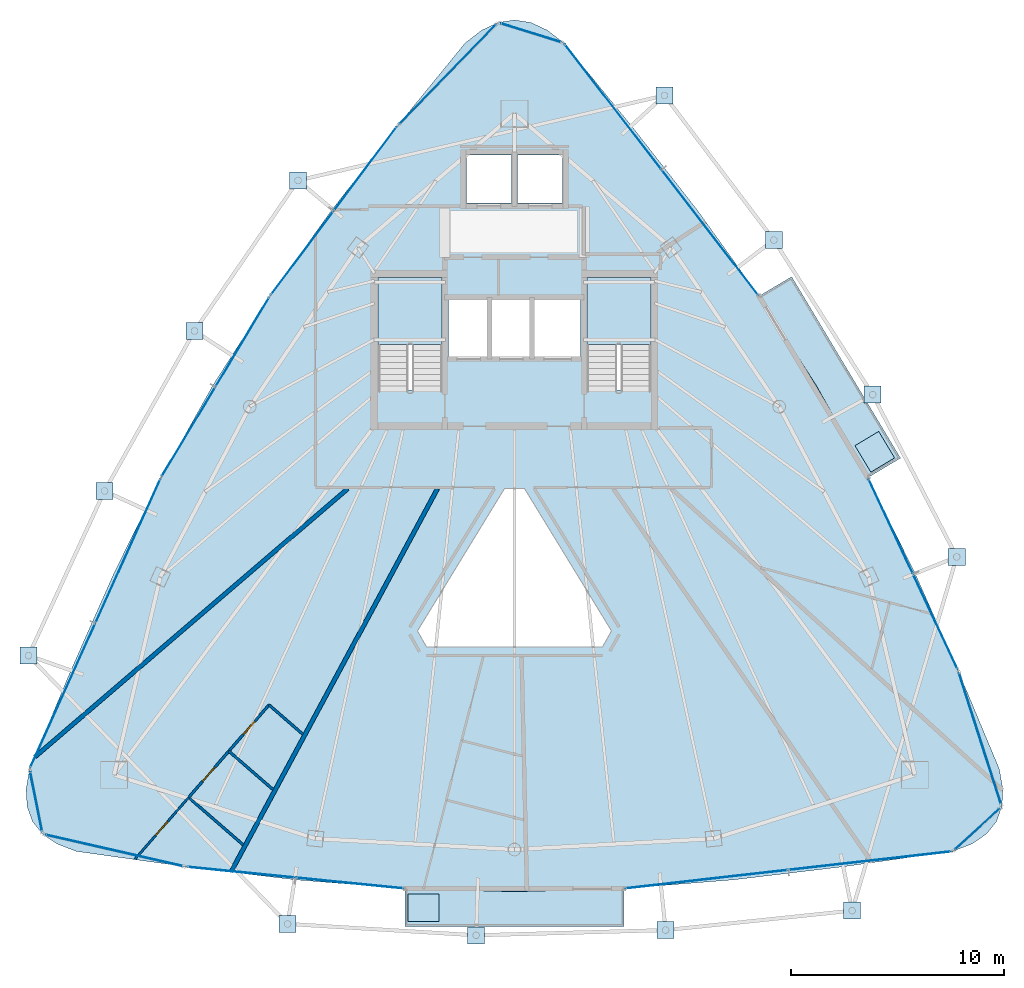
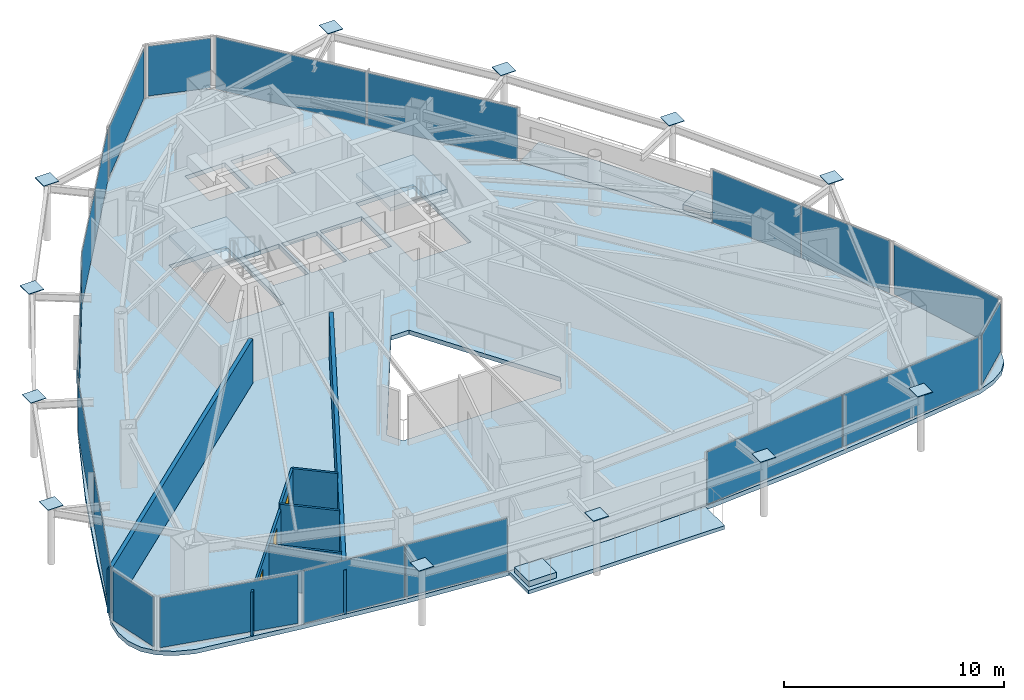
# One storey, part 25 of 30: 32 plates, 8 walls, 7 slabs, 3 doors, 3 openings, 15 elements without a shape of their own.
"""IFC4 building model written with IfcOpenShell, lengths in metres."""

from ifc_helpers import new_model, si_unit, direction, frame, frame_2d, origin, origin_2d, place, context, subcontext, project, spatial, polyline, rectangle, outline, extrude, material, layer, layer_set, type_object, element, fill, aggregate, save


model = new_model("IFC4")

# Units and contexts
model_context = context("Model", 3, precision=1e-05, world=origin(), true_north=direction((0.0, 1.0)))
body_context = subcontext(model_context, "Body", "Model", "MODEL_VIEW")
ifc_project = project(units=[si_unit("LENGTHUNIT", "METRE"), si_unit("AREAUNIT", "SQUARE_METRE"), si_unit("VOLUMEUNIT", "CUBIC_METRE"), si_unit("PLANEANGLEUNIT", "RADIAN"), si_unit("MASSUNIT", "GRAM", prefix="KILO")], contexts=[model_context])

# Site, building, storey
site_placement = place(None, origin())
site = spatial("IfcSite", under=ifc_project, at=site_placement, CompositionType="ELEMENT")
building_placement = place(site_placement, origin())
building = spatial("IfcBuilding", under=site, at=building_placement, Name="Orvanel Arch Residences", CompositionType="ELEMENT")
storey_placement = place(building_placement, frame((0.0, 0.0, 232.699951171875)))
storey = spatial("IfcBuildingStorey", under=building, at=storey_placement, Name="L66", CompositionType="ELEMENT", Elevation=232.699951171875)

# Plates
ifc_material_1 = material(Name="Structural steel AS/NZS 3678 Grade 350", Category="steel")
ifc_layer_1 = layer(ifc_material_1, 0.031982421875)
ifc_layer_set_1 = layer_set([ifc_layer_1], Name="Structural steel AS/NZS 3678 Grade 350")
plate_type_1 = type_object("IfcPlateType", Name="PL-CAP-32", PredefinedType="SHEET", material=ifc_layer_set_1)
for number, where, z_axis, x_axis, name in (
    (1, (22.8359375, 38.262939453125, 3.2841796875), (0.0, 0.0, 1.0), (1.0, 0.0, 0.0), "L66 hollow member end cap plate"),
    (2, (17.972900390625, 31.193115234375, 3.2841796875), (0.0, 0.0, 1.0), (1.0, 0.0, 0.0), "L66 hollow member end cap plate"),
    (3, (13.751953125, 23.681884765625, 3.2841796875), (0.0, 0.0, 1.0), (1.0, 0.0, 0.0), "L66 hollow member end cap plate"),
    (4, (10.179931640625, 15.950927734375, 3.2841796875), (0.0, 0.0, 1.0), (1.0, 0.0, 0.0), "L66 hollow member end cap plate"),
    (5, (22.346923828125, 3.35009765625, 3.2841796875), (0.0, 0.0, 1.0), (1.0, 0.0, 0.0), "L66 hollow member end cap plate"),
    (6, (31.198974609375, 2.81689453125, 3.2841796875), (0.0, 0.0, 1.0), (1.0, 0.0, 0.0), "L66 hollow member end cap plate"),
    (7, (40.096923828125, 3.06005859375, 3.2841796875), (0.0, 0.0, 1.0), (1.0, 0.0, 0.0), "L66 hollow member end cap plate"),
    (8, (48.85498046875, 3.97412109375, 3.2841796875), (0.0, 0.0, 1.0), (1.0, 0.0, 0.0), "L66 hollow member end cap plate"),
    (9, (53.76806640625, 20.583984375, 3.2841796875), (0.0, 0.0, 1.0), (1.0, 0.0, 0.0), "L66 hollow member end cap plate"),
    (10, (49.821044921875, 28.202880859375, 3.2841796875), (0.0, 0.0, 1.0), (1.0, 0.0, 0.0), "L66 hollow member end cap plate"),
    (11, (45.180908203125, 35.462890625, 3.2841796875), (0.0, 0.0, 1.0), (1.0, 0.0, 0.0), "L66 hollow member end cap plate"),
    (12, (40.0419921875, 42.25390625, 3.2841796875), (0.0, 0.0, 1.0), (1.0, 0.0, 0.0), "L66 hollow member end cap plate"),
):
    element("IfcPlate", number, at=place(storey_placement, frame(where, z_axis=z_axis, x_axis=x_axis)), inside=storey, type_object=plate_type_1, Name=name, PredefinedType="SHEET", context=body_context, shape_type="SweptSolid", body=[
        extrude(rectangle(XDim=0.800048828125, YDim=0.800048828125, at=origin_2d()), origin(), (0.0, 0.0, 1.0), 0.031982421875),
    ])

# Curtain wall, plates
ifc_material_2 = material(Name="Bronze-anodised aluminium AA6063-T6", Category="aluminium")
ifc_layer_2 = layer(ifc_material_2, 0.175048828125)
ifc_layer_set_2 = layer_set([ifc_layer_2], Name="Bronze-anodised aluminium AA6063-T6")
curtain_wall_type_1 = type_object("IfcCurtainWallType", Name="CW4-HI-SYS", PredefinedType="NOTDEFINED", material=ifc_layer_set_2)
curtain_wall_1_placement = place(storey_placement, origin())
curtain_wall_1 = element("IfcCurtainWall", 13, at=curtain_wall_1_placement, inside=storey, type_object=curtain_wall_type_1, Name="L66 CW4-HI-SYS Unitised Curtain Wall", PredefinedType="NOTDEFINED")
ifc_material_3 = material(Name="Double-glazed solar-control low-E safety glass", Category="glass")
ifc_layer_3 = layer(ifc_material_3, 0.028076171875)
ifc_layer_set_3 = layer_set([ifc_layer_3], Name="Double-glazed solar-control low-E safety glass")
plate_type_2 = type_object("IfcPlateType", Name="PNL-GLZ-28", PredefinedType="CURTAIN_PANEL", material=ifc_layer_set_3)
plate_1_placement = place(storey_placement, frame((25.989990234375, 38.805908203125, 0.06005859375), z_axis=(0.0, 0.0, 1.0), x_axis=(-0.599485313473, -0.800385756327, 0.0)))
plate_1 = element("IfcPlate", 14, at=plate_1_placement, type_object=plate_type_2, Name="CW-S4 panel 1.1", PredefinedType="CURTAIN_PANEL", context=body_context, shape_type="SweptSolid", body=[
    extrude(rectangle(XDim=4.877685546875, YDim=0.028076171875, at=origin_2d()), origin(), (0.0, 0.0, 1.0), 2.89990234375),
])
plate_2_placement = place(storey_placement, frame((23.027099609375, 34.85009765625, 0.06005859375), z_axis=(0.0, 0.0, 1.0), x_axis=(-0.599485313473, -0.800385756327, 0.0)))
plate_2 = element("IfcPlate", 15, at=plate_2_placement, type_object=plate_type_2, Name="CW-S4 panel 2.1", PredefinedType="CURTAIN_PANEL", context=body_context, shape_type="SweptSolid", body=[
    extrude(rectangle(XDim=4.877685546875, YDim=0.028076171875, at=origin_2d()), origin(), (0.0, 0.0, 1.0), 2.89990234375),
])
aggregate(curtain_wall_1, [plate_1, plate_2])

curtain_wall_2_placement = place(storey_placement, origin())
curtain_wall_2 = element("IfcCurtainWall", 16, at=curtain_wall_2_placement, inside=storey, type_object=curtain_wall_type_1, Name="L66 CW4-HI-SYS Unitised Curtain Wall", PredefinedType="NOTDEFINED")
plate_3_placement = place(storey_placement, frame((20.22265625, 30.677001953125, 0.06005859375), z_axis=(0.0, 0.0, 1.0), x_axis=(-0.514436325748, -0.857528580719, 0.0)))
plate_3 = element("IfcPlate", 17, at=plate_3_placement, type_object=plate_type_2, Name="CW-S4 panel 1.1", PredefinedType="CURTAIN_PANEL", context=body_context, shape_type="SweptSolid", body=[
    extrude(rectangle(XDim=4.8515625, YDim=0.028076171875, at=origin_2d()), origin(), (0.0, 0.0, 1.0), 2.89990234375),
])
plate_4_placement = place(storey_placement, frame((17.693359375, 26.4609375, 0.06005859375), z_axis=(0.0, 0.0, 1.0), x_axis=(-0.514436325748, -0.857528580719, 0.0)))
plate_4 = element("IfcPlate", 18, at=plate_4_placement, type_object=plate_type_2, Name="CW-S4 panel 2.1", PredefinedType="CURTAIN_PANEL", context=body_context, shape_type="SweptSolid", body=[
    extrude(rectangle(XDim=4.8515625, YDim=0.028076171875, at=origin_2d()), origin(), (0.0, 0.0, 1.0), 2.89990234375),
])
aggregate(curtain_wall_2, [plate_3, plate_4])

curtain_wall_3_placement = place(storey_placement, origin())
curtain_wall_3 = element("IfcCurtainWall", 19, at=curtain_wall_3_placement, inside=storey, type_object=curtain_wall_type_1, Name="L66 CW4-HI-SYS Unitised Curtain Wall", PredefinedType="NOTDEFINED")
plate_5_placement = place(storey_placement, frame((14.848876953125, 20.864013671875, 0.06005859375), z_axis=(0.0, 0.0, 1.0), x_axis=(-0.411128435335, -0.911577429328, 0.0)))
plate_5 = element("IfcPlate", 20, at=plate_5_placement, type_object=plate_type_2, Name="CW-S4 panel 1.1", PredefinedType="CURTAIN_PANEL", context=body_context, shape_type="SweptSolid", body=[
    extrude(rectangle(XDim=7.38671875, YDim=0.028076171875, at=origin_2d()), origin(), (0.0, 0.0, 1.0), 2.89990234375),
])
plate_6_placement = place(storey_placement, frame((11.78515625, 14.071044921875, 0.06005859375), z_axis=(0.0, 0.0, 1.0), x_axis=(-0.411128435335, -0.911577429328, 0.0)))
plate_6 = element("IfcPlate", 21, at=plate_6_placement, type_object=plate_type_2, Name="CW-S4 panel 2.1", PredefinedType="CURTAIN_PANEL", context=body_context, shape_type="SweptSolid", body=[
    extrude(rectangle(XDim=7.38671875, YDim=0.028076171875, at=origin_2d()), origin(), (0.0, 0.0, 1.0), 2.89990234375),
])
aggregate(curtain_wall_3, [plate_5, plate_6])

curtain_wall_4_placement = place(storey_placement, origin())
curtain_wall_4 = element("IfcCurtainWall", 22, at=curtain_wall_4_placement, inside=storey, type_object=curtain_wall_type_1, Name="L66 CW4-HI-SYS Unitised Curtain Wall", PredefinedType="NOTDEFINED")
plate_7_placement = place(storey_placement, frame((20.16552734375, 5.7763671875, 0.06005859375), z_axis=(0.0, 0.0, 1.0), x_axis=(0.995084182204, -0.099032673027, 0.0)))
plate_7 = element("IfcPlate", 23, at=plate_7_placement, type_object=plate_type_2, Name="CW-S4 panel 1.1", PredefinedType="CURTAIN_PANEL", context=body_context, shape_type="SweptSolid", body=[
    extrude(rectangle(XDim=5.05224609375, YDim=0.028076171875, at=origin_2d()), origin(), (0.0, 0.0, 1.0), 2.89990234375),
])
plate_8_placement = place(storey_placement, frame((25.257568359375, 5.26953125, 0.06005859375), z_axis=(0.0, 0.0, 1.0), x_axis=(0.995084182204, -0.099032673027, 0.0)))
plate_8 = element("IfcPlate", 24, at=plate_8_placement, type_object=plate_type_2, Name="CW-S4 panel 2.1", PredefinedType="CURTAIN_PANEL", context=body_context, shape_type="SweptSolid", body=[
    extrude(rectangle(XDim=5.05224609375, YDim=0.028076171875, at=origin_2d()), origin(), (0.0, 0.0, 1.0), 2.89990234375),
])
aggregate(curtain_wall_4, [plate_7, plate_8])

curtain_wall_5_placement = place(storey_placement, origin())
curtain_wall_5 = element("IfcCurtainWall", 25, at=curtain_wall_5_placement, inside=storey, type_object=curtain_wall_type_1, Name="L66 CW4-HI-SYS Unitised Curtain Wall", PredefinedType="NOTDEFINED")
plate_9_placement = place(storey_placement, frame((42.0283203125, 5.450927734375, 0.06005859375), z_axis=(0.0, 0.0, 1.0), x_axis=(0.993642890196, 0.112578003012, 0.0)))
plate_9 = element("IfcPlate", 26, at=plate_9_placement, type_object=plate_type_2, Name="CW-S4 panel 1.1", PredefinedType="CURTAIN_PANEL", context=body_context, shape_type="SweptSolid", body=[
    extrude(rectangle(XDim=7.648193359375, YDim=0.028076171875, at=origin_2d()), origin(), (0.0, 0.0, 1.0), 2.89990234375),
])
plate_10_placement = place(storey_placement, frame((49.692626953125, 6.319091796875, 0.06005859375), z_axis=(0.0, 0.0, 1.0), x_axis=(0.993642890196, 0.112578003012, 0.0)))
plate_10 = element("IfcPlate", 27, at=plate_10_placement, type_object=plate_type_2, Name="CW-S4 panel 2.1", PredefinedType="CURTAIN_PANEL", context=body_context, shape_type="SweptSolid", body=[
    extrude(rectangle(XDim=7.648193359375, YDim=0.028076171875, at=origin_2d()), origin(), (0.0, 0.0, 1.0), 2.89990234375),
])
aggregate(curtain_wall_5, [plate_9, plate_10])

curtain_wall_6_placement = place(storey_placement, origin())
curtain_wall_6 = element("IfcCurtainWall", 28, at=curtain_wall_6_placement, inside=storey, type_object=curtain_wall_type_1, Name="L66 CW4-HI-SYS Unitised Curtain Wall", PredefinedType="NOTDEFINED")
plate_11_placement = place(storey_placement, frame((52.7626953125, 17.545654296875, 0.06005859375), z_axis=(0.0, 0.0, 1.0), x_axis=(-0.423908533978, 0.905705004304, 0.0)))
plate_11 = element("IfcPlate", 29, at=plate_11_placement, type_object=plate_type_2, Name="CW-S4 panel 1.1", PredefinedType="CURTAIN_PANEL", context=body_context, shape_type="SweptSolid", body=[
    extrude(rectangle(XDim=4.877685546875, YDim=0.028076171875, at=origin_2d()), origin(), (0.0, 0.0, 1.0), 2.89990234375),
])
plate_12_placement = place(storey_placement, frame((50.66748046875, 22.022216796875, 0.06005859375), z_axis=(0.0, 0.0, 1.0), x_axis=(-0.423908533978, 0.905705004304, 0.0)))
plate_12 = element("IfcPlate", 30, at=plate_12_placement, type_object=plate_type_2, Name="CW-S4 panel 2.1", PredefinedType="CURTAIN_PANEL", context=body_context, shape_type="SweptSolid", body=[
    extrude(rectangle(XDim=4.877685546875, YDim=0.028076171875, at=origin_2d()), origin(), (0.0, 0.0, 1.0), 2.89990234375),
])
aggregate(curtain_wall_6, [plate_11, plate_12])

curtain_wall_7_placement = place(storey_placement, origin())
curtain_wall_7 = element("IfcCurtainWall", 31, at=curtain_wall_7_placement, inside=storey, type_object=curtain_wall_type_1, Name="L66 CW4-HI-SYS Unitised Curtain Wall", PredefinedType="NOTDEFINED")
plate_13_placement = place(storey_placement, frame((42.1787109375, 35.82177734375, 0.06005859375), z_axis=(0.0, 0.0, 1.0), x_axis=(-0.610720877294, 0.791845950951, 0.0)))
plate_13 = element("IfcPlate", 32, at=plate_13_placement, type_object=plate_type_2, Name="CW-S4 panel 1.1", PredefinedType="CURTAIN_PANEL", context=body_context, shape_type="SweptSolid", body=[
    extrude(rectangle(XDim=7.38623046875, YDim=0.028076171875, at=origin_2d()), origin(), (0.0, 0.0, 1.0), 2.89990234375),
])
plate_14_placement = place(storey_placement, frame((37.628173828125, 41.72216796875, 0.06005859375), z_axis=(0.0, 0.0, 1.0), x_axis=(-0.610720877294, 0.791845950951, 0.0)))
plate_14 = element("IfcPlate", 33, at=plate_14_placement, type_object=plate_type_2, Name="CW-S4 panel 2.1", PredefinedType="CURTAIN_PANEL", context=body_context, shape_type="SweptSolid", body=[
    extrude(rectangle(XDim=7.38623046875, YDim=0.028076171875, at=origin_2d()), origin(), (0.0, 0.0, 1.0), 2.89990234375),
])
aggregate(curtain_wall_7, [plate_13, plate_14])

# Curtain wall, plate
ifc_layer_4 = layer(ifc_material_2, 0.18994140625)
ifc_layer_set_4 = layer_set([ifc_layer_4], Name="Bronze-anodised aluminium AA6063-T6")
curtain_wall_type_2 = type_object("IfcCurtainWallType", Name="CW5-CRN-SYS", PredefinedType="NOTDEFINED", material=ifc_layer_set_4)
curtain_wall_8_placement = place(storey_placement, origin())
curtain_wall_8 = element("IfcCurtainWall", 34, at=curtain_wall_8_placement, inside=storey, type_object=curtain_wall_type_2, Name="L66 CW5-CRN-SYS Unitised Curtain Wall", PredefinedType="NOTDEFINED")
ifc_layer_5 = layer(ifc_material_3, 0.031982421875)
ifc_layer_set_5 = layer_set([ifc_layer_5], Name="Double-glazed solar-control low-E safety glass")
plate_type_3 = type_object("IfcPlateType", Name="PNL-GLZ-32", PredefinedType="CURTAIN_PANEL", material=ifc_layer_set_5)
plate_15_placement = place(storey_placement, frame((33.77392578125, 45.195556640625, 0.1298828125), z_axis=(0.0, 0.0, 1.0), x_axis=(-0.954835109366, 0.297136187501, 0.0)))
plate_15 = element("IfcPlate", 35, at=plate_15_placement, type_object=plate_type_3, Name="CW-S5 panel 1.1", PredefinedType="CURTAIN_PANEL", context=body_context, shape_type="SweptSolid", body=[
    extrude(rectangle(XDim=2.900634765625, YDim=0.031982421875, at=origin_2d()), origin(), (0.0, 0.0, 1.0), 2.760009765625),
])
aggregate(curtain_wall_8, [plate_15])

curtain_wall_9_placement = place(storey_placement, origin())
curtain_wall_9 = element("IfcCurtainWall", 36, at=curtain_wall_9_placement, inside=storey, type_object=curtain_wall_type_2, Name="L66 CW5-CRN-SYS Unitised Curtain Wall", PredefinedType="NOTDEFINED")
plate_16_placement = place(storey_placement, frame((29.864990234375, 43.25146484375, 0.1298828125), z_axis=(0.0, 0.0, 1.0), x_axis=(-0.697610662802, -0.716477049978, 0.0)))
plate_16 = element("IfcPlate", 37, at=plate_16_placement, type_object=plate_type_3, Name="CW-S5 panel 1.1", PredefinedType="CURTAIN_PANEL", context=body_context, shape_type="SweptSolid", body=[
    extrude(rectangle(XDim=6.431640625, YDim=0.031982421875, at=origin_2d()), origin(), (0.0, 0.0, 1.0), 2.760009765625),
])
aggregate(curtain_wall_9, [plate_16])

curtain_wall_10_placement = place(storey_placement, origin())
curtain_wall_10 = element("IfcCurtainWall", 38, at=curtain_wall_10_placement, inside=storey, type_object=curtain_wall_type_2, Name="L66 CW5-CRN-SYS Unitised Curtain Wall", PredefinedType="NOTDEFINED")
plate_17_placement = place(storey_placement, frame((10.53759765625, 9.096923828125, 0.1298828125), z_axis=(0.0, 0.0, 1.0), x_axis=(0.195803898032, -0.980643071416, 0.0)))
plate_17 = element("IfcPlate", 39, at=plate_17_placement, type_object=plate_type_3, Name="CW-S5 panel 1.1", PredefinedType="CURTAIN_PANEL", context=body_context, shape_type="SweptSolid", body=[
    extrude(rectangle(XDim=2.779541015625, YDim=0.031982421875, at=origin_2d()), origin(), (0.0, 0.0, 1.0), 2.760009765625),
])
aggregate(curtain_wall_10, [plate_17])

curtain_wall_11_placement = place(storey_placement, origin())
curtain_wall_11 = element("IfcCurtainWall", 40, at=curtain_wall_11_placement, inside=storey, type_object=curtain_wall_type_2, Name="L66 CW5-CRN-SYS Unitised Curtain Wall", PredefinedType="NOTDEFINED")
plate_18_placement = place(storey_placement, frame((14.205078125, 6.801025390625, 0.1298828125), z_axis=(0.0, 0.0, 1.0), x_axis=(0.974977866767, -0.222301955264, 0.0)))
plate_18 = element("IfcPlate", 41, at=plate_18_placement, type_object=plate_type_3, Name="CW-S5 panel 1.1", PredefinedType="CURTAIN_PANEL", context=body_context, shape_type="SweptSolid", body=[
    extrude(rectangle(XDim=6.555419921875, YDim=0.031982421875, at=origin_2d()), origin(), (0.0, 0.0, 1.0), 2.760009765625),
])
aggregate(curtain_wall_11, [plate_18])

curtain_wall_12_placement = place(storey_placement, origin())
curtain_wall_12 = element("IfcCurtainWall", 42, at=curtain_wall_12_placement, inside=storey, type_object=curtain_wall_type_2, Name="L66 CW5-CRN-SYS Unitised Curtain Wall", PredefinedType="NOTDEFINED")
plate_19_placement = place(storey_placement, frame((54.73193359375, 7.8076171875, 0.1298828125), z_axis=(0.0, 0.0, 1.0), x_axis=(0.740219127016, 0.672365707037, 0.0)))
plate_19 = element("IfcPlate", 43, at=plate_19_placement, type_object=plate_type_3, Name="CW-S5 panel 1.1", PredefinedType="CURTAIN_PANEL", context=body_context, shape_type="SweptSolid", body=[
    extrude(rectangle(XDim=2.7802734375, YDim=0.031982421875, at=origin_2d()), origin(), (0.0, 0.0, 1.0), 2.760009765625),
])
aggregate(curtain_wall_12, [plate_19])

curtain_wall_13_placement = place(storey_placement, origin())
curtain_wall_13 = element("IfcCurtainWall", 44, at=curtain_wall_13_placement, inside=storey, type_object=curtain_wall_type_2, Name="L66 CW5-CRN-SYS Unitised Curtain Wall", PredefinedType="NOTDEFINED")
plate_20_placement = place(storey_placement, frame((54.859619140625, 12.05810546875, 0.1298828125), z_axis=(0.0, 0.0, 1.0), x_axis=(-0.305573404151, 0.952168522204, 0.0)))
plate_20 = element("IfcPlate", 45, at=plate_20_placement, type_object=plate_type_3, Name="CW-S5 panel 1.1", PredefinedType="CURTAIN_PANEL", context=body_context, shape_type="SweptSolid", body=[
    extrude(rectangle(XDim=6.3857421875, YDim=0.031982421875, at=origin_2d()), origin(), (0.0, 0.0, 1.0), 2.760009765625),
])
aggregate(curtain_wall_13, [plate_20])

# Slabs
ifc_material_4 = material(Name="Concrete N40 (40 MPa)", Category="concrete")
ifc_layer_6 = layer(ifc_material_4, 0.199951171875)
ifc_layer_set_6 = layer_set([ifc_layer_6], Name="Concrete N40 (40 MPa)")
slab_type_1 = type_object("IfcSlabType", Name="SLB-BAL-200", PredefinedType="FLOOR", material=ifc_layer_set_6)
slab_1_placement = place(storey_placement, frame((0.0, 0.0, -0.199951171875)))
element("IfcSlab", 46, at=slab_1_placement, inside=storey, type_object=slab_type_1, Name="L66 Cantilevered Balcony Slab Face 2", PredefinedType="FLOOR", context=body_context, shape_type="SweptSolid", body=[
    extrude(outline(polyline([(27.85595703125, 3.23095703125), (38.14404296875, 3.23095703125), (38.14404296875, 5.010986328125), (33.0, 4.867919921875), (27.85595703125, 5.010986328125), (27.85595703125, 3.23095703125)])), origin(), (0.0, 0.0, 1.0), 0.199951171875),
])
slab_2_placement = place(storey_placement, frame((0.0, 0.0, -0.199951171875)))
element("IfcSlab", 47, at=slab_2_placement, inside=storey, type_object=slab_type_1, Name="L66 Cantilevered Balcony Slab Face 3", PredefinedType="FLOOR", context=body_context, shape_type="SweptSolid", body=[
    extrude(outline(polyline([(51.125, 25.22412109375), (46.012939453125, 33.74609375), (44.486083984375, 32.830078125), (47.166015625, 28.64306640625), (49.597900390625, 24.30810546875), (51.125, 25.22412109375)])), origin(), (0.0, 0.0, 1.0), 0.199951171875),
])

# Stair, slab
ifc_material_5 = material(Name="Precast concrete N50 (50 MPa)", Category="concrete")
stair_type = type_object("IfcStairType", Name="STR-DOG-184", PredefinedType="USERDEFINED", material=ifc_material_5)
stair_1_placement = place(storey_placement, origin())
stair_1 = element("IfcStair", 48, at=stair_1_placement, inside=storey, type_object=stair_type, Name="L66 Fire-Isolated Core Exit Stair 1", ObjectType="TWO_RETURN_STAIR", PredefinedType="USERDEFINED")
ifc_layer_7 = layer(ifc_material_4, 0.199951171875)
ifc_layer_set_7 = layer_set([ifc_layer_7], Name="Concrete N40 (40 MPa)")
slab_type_2 = type_object("IfcSlabType", Name="SLB-LND-200", PredefinedType="LANDING", material=ifc_layer_set_7)
slab_3_placement = place(storey_placement, frame((0.0, 0.0, 1.449951171875)))
slab_3 = element("IfcSlab", 49, at=slab_3_placement, type_object=slab_type_2, Name="ST-1 landing 1", PredefinedType="LANDING", context=body_context, shape_type="SweptSolid", body=[
    extrude(outline(polyline([(29.60009765625, 30.56005859375), (29.60009765625, 33.699951171875), (26.60009765625, 33.699951171875), (26.60009765625, 30.56005859375), (29.60009765625, 30.56005859375)])), origin(), (0.0, 0.0, 1.0), 0.2001953125),
])
aggregate(stair_1, [slab_3])

stair_2_placement = place(storey_placement, origin())
stair_2 = element("IfcStair", 50, at=stair_2_placement, inside=storey, type_object=stair_type, Name="L66 Fire-Isolated Core Exit Stair 2", ObjectType="TWO_RETURN_STAIR", PredefinedType="USERDEFINED")
slab_4_placement = place(storey_placement, frame((0.0, 0.0, 1.449951171875)))
slab_4 = element("IfcSlab", 51, at=slab_4_placement, type_object=slab_type_2, Name="ST-2 landing 1", PredefinedType="LANDING", context=body_context, shape_type="SweptSolid", body=[
    extrude(outline(polyline([(39.39990234375, 30.56005859375), (39.39990234375, 33.699951171875), (36.39990234375, 33.699951171875), (36.39990234375, 30.56005859375), (39.39990234375, 30.56005859375)])), origin(), (0.0, 0.0, 1.0), 0.2001953125),
])
aggregate(stair_2, [slab_4])

# Slabs
ifc_material_6 = material(Name="Structural architectural precast concrete N40 (40 MPa) planter", Category="concrete")
ifc_layer_8 = layer(ifc_material_6, 0.320068359375)
ifc_layer_set_8 = layer_set([ifc_layer_8], Name="Structural architectural precast concrete N40 (40 MPa) planter")
slab_type_3 = type_object("IfcSlabType", Name="SLB-PLN-320", PredefinedType="USERDEFINED", material=ifc_layer_set_8)
slab_5_placement = place(storey_placement, origin())
element("IfcSlab", 52, at=slab_5_placement, inside=storey, type_object=slab_type_3, Name="L66 Balcony TREE PLANTER Face 2", ObjectType="PLANTER", PredefinedType="USERDEFINED", context=body_context, shape_type="SweptSolid", body=[
    extrude(outline(polyline([(28.006103515625, 3.4619140625), (29.4560546875, 3.4619140625), (29.4560546875, 4.760986328125), (28.006103515625, 4.760986328125), (28.006103515625, 3.4619140625)])), origin(), (0.0, 0.0, 1.0), 0.320068359375),
])
slab_6_placement = place(storey_placement, origin())
element("IfcSlab", 53, at=slab_6_placement, inside=storey, type_object=slab_type_3, Name="L66 Balcony TREE PLANTER Face 3", ObjectType="PLANTER", PredefinedType="USERDEFINED", context=body_context, shape_type="SweptSolid", body=[
    extrude(outline(polyline([(50.85009765625, 25.23388671875), (50.10400390625, 26.47802734375), (48.989013671875, 25.80908203125), (49.735107421875, 24.56591796875), (50.85009765625, 25.23388671875)])), origin(), (0.0, 0.0, 1.0), 0.320068359375),
])
ifc_layer_9 = layer(ifc_material_4, 0.239990234375)
ifc_layer_set_9 = layer_set([ifc_layer_9], Name="Concrete N40 (40 MPa)")
slab_type_4 = type_object("IfcSlabType", Name="SLB-TYP-240", PredefinedType="FLOOR", material=ifc_layer_set_9)
slab_7_placement = place(storey_placement, frame((0.0, 0.0, -0.239990234375)))
element("IfcSlab", 54, at=slab_7_placement, inside=storey, type_object=slab_type_4, Name="L66 Tower Floor Slab", PredefinedType="FLOOR", context=body_context, shape_type="SweptSolid", body=[
    extrude(outline(polyline([(35.321044921875, 44.714111328125), (34.547119140625, 45.31591796875), (33.77294921875, 45.677001953125), (33.0, 45.797119140625), (32.22705078125, 45.677001953125), (31.452880859375, 45.31591796875), (30.678955078125, 44.714111328125), (27.5029296875, 40.825927734375), (24.4208984375, 36.8798828125), (21.513916015625, 32.830078125), (18.833984375, 28.64306640625), (16.402099609375, 24.30810546875), (14.197998046875, 19.8369140625), (12.16796875, 15.260009765625), (10.23193359375, 10.626953125), (10.06591796875, 9.681884765625), (10.113037109375, 8.85595703125), (10.37109375, 8.15087890625), (10.843017578125, 7.56689453125), (11.527099609375, 7.10302734375), (12.423095703125, 6.759033203125), (17.56689453125, 6.034912109375), (22.7119140625, 5.4208984375), (27.85595703125, 5.010986328125), (33.0, 4.867919921875), (38.14404296875, 5.010986328125), (43.2880859375, 5.4208984375), (48.43310546875, 6.034912109375), (53.576904296875, 6.759033203125), (54.472900390625, 7.10302734375), (55.156982421875, 7.56689453125), (55.62890625, 8.15087890625), (55.886962890625, 8.85595703125), (55.93408203125, 9.681884765625), (55.76708984375, 10.626953125), (53.83203125, 15.260009765625), (51.802001953125, 19.8369140625), (49.597900390625, 24.30810546875), (47.166015625, 28.64306640625), (44.486083984375, 32.830078125), (41.5791015625, 36.8798828125), (38.4970703125, 40.825927734375), (35.321044921875, 44.714111328125)]), holes=[polyline([(26.60009765625, 28.429931640625), (26.60009765625, 33.699951171875), (29.60009765625, 33.699951171875), (29.60009765625, 28.429931640625), (26.60009765625, 28.429931640625)]), polyline([(36.39990234375, 28.429931640625), (36.39990234375, 33.699951171875), (39.39990234375, 33.699951171875), (39.39990234375, 28.429931640625), (36.39990234375, 28.429931640625)]), polyline([(29.89990234375, 32.64990234375), (31.75, 32.64990234375), (31.75, 29.949951171875), (29.89990234375, 29.949951171875), (29.89990234375, 32.64990234375)]), polyline([(31.89990234375, 32.64990234375), (33.75, 32.64990234375), (33.75, 29.949951171875), (31.89990234375, 29.949951171875), (31.89990234375, 32.64990234375)]), polyline([(33.89990234375, 32.64990234375), (36.10009765625, 32.64990234375), (36.10009765625, 29.949951171875), (33.89990234375, 29.949951171875), (33.89990234375, 32.64990234375)]), polyline([(30.75, 39.449951171875), (32.85009765625, 39.449951171875), (32.85009765625, 37.199951171875), (30.75, 37.199951171875), (30.75, 39.449951171875)]), polyline([(33.14990234375, 39.449951171875), (35.25, 39.449951171875), (35.25, 37.199951171875), (33.14990234375, 37.199951171875), (33.14990234375, 39.449951171875)]), polyline([(37.555908203125, 17.110107421875), (37.132080078125, 16.35498046875), (28.867919921875, 16.35498046875), (28.444091796875, 17.110107421875), (32.5380859375, 23.806884765625), (33.4619140625, 23.806884765625), (37.555908203125, 17.110107421875)])]), origin(), (0.0, 0.0, 1.0), 0.239990234375),
])

# Walls
ifc_material_7 = material(Name="Fire-rated plasterboard lined steel stud partition", Category="steel")
ifc_layer_10 = layer(ifc_material_7, 0.199951171875)
ifc_layer_set_10 = layer_set([ifc_layer_10], Name="Fire-rated plasterboard lined steel stud partition")
wall_type_1 = type_object("IfcWallType", Name="W-DEM-200", PredefinedType="PARTITIONING", material=ifc_layer_set_10)
wall_1_placement = place(storey_placement, frame((29.385009765625, 23.7900390625, 0.0), z_axis=(0.0, 0.0, 1.0), x_axis=(-0.474361203305, -0.880330306646, 0.0)))
element("IfcWall", 55, at=wall_1_placement, inside=storey, type_object=wall_type_1, Name="L66 Inter-Tenancy Acoustic Demising Wall", PredefinedType="PARTITIONING", context=body_context, shape_type="SweptSolid", body=[
    extrude(rectangle(XDim=20.440185546875, YDim=0.199951171875, at=frame_2d((10.22021484375, 0.0))), origin(), (0.0, 0.0, 1.0), 2.4521484375),
])
wall_2_placement = place(storey_placement, frame((10.47509765625, 11.18994140625, 0.0), z_axis=(0.0, 0.0, 1.0), x_axis=(0.759210311249, 0.650845375871, 0.0)))
element("IfcWall", 56, at=wall_2_placement, inside=storey, type_object=wall_type_1, Name="L66 Inter-Tenancy Acoustic Demising Wall", PredefinedType="PARTITIONING", context=body_context, shape_type="SweptSolid", body=[
    extrude(rectangle(XDim=19.359619140625, YDim=0.199951171875, at=frame_2d((9.6796875, 0.0))), origin(), (0.0, 0.0, 1.0), 2.4521484375),
])

# Wall, opening, door
ifc_material_8 = material(Name="Acoustic plasterboard lined twin-stud partition", Category="gypsum")
ifc_layer_11 = layer(ifc_material_8, 0.10009765625)
ifc_layer_set_11 = layer_set([ifc_layer_11], Name="Acoustic plasterboard lined twin-stud partition")
wall_type_2 = type_object("IfcWallType", Name="W-INT-100", PredefinedType="PARTITIONING", material=ifc_layer_set_11)
wall_3_placement = place(storey_placement, frame((17.697998046875, 9.2900390625, 0.0), z_axis=(0.0, 0.0, 1.0), x_axis=(-0.655874061554, -0.754870330176, 0.0)))
wall_3 = element("IfcWall", 57, at=wall_3_placement, inside=storey, type_object=wall_type_2, Name="L66 Studio B Internal Partition", PredefinedType="PARTITIONING", context=body_context, shape_type="SweptSolid", body=[
    extrude(rectangle(XDim=3.849609375, YDim=0.10009765625, at=frame_2d((1.9248046875, 0.0))), origin(), (0.0, 0.0, 1.0), 2.4521484375),
])
opening_1_placement = place(wall_3_placement, frame((1.485107421875, 0.0, 0.0)))
opening_1 = element("IfcOpeningElement", 58, at=opening_1_placement, cuts=wall_3, Name="Opening DI-088", PredefinedType="OPENING", context=body_context, shape_type="SweptSolid", body=[
    extrude(rectangle(XDim=0.8798828125, YDim=2.10009765625, at=frame_2d((0.43994140625, 1.050048828125))), frame((0.0, 0.06005859375, 0.0), z_axis=(0.0, -1.0, 0.0), x_axis=(1.0, 0.0, 0.0)), (0.0, 0.0, 1.0), 0.1201171875),
])
ifc_material_9 = material(Name="Solid-core European oak veneer fire door leaf", Category="wood")
door_type_1 = type_object("IfcDoorType", Name="DR-INT-880", OperationType="NOTDEFINED", PredefinedType="DOOR", material=ifc_material_9)
door_1_placement = place(opening_1_placement, origin())
door_1 = element("IfcDoor", 59, at=door_1_placement, inside=storey, type_object=door_type_1, Name="DR-L66-B-OFC1 L66 Studio B Home Work Office 1 Door", OperationType="SINGLE_SWING_LEFT", OverallHeight=2.10009765625, OverallWidth=0.8798828125, PredefinedType="DOOR", context=body_context, shape_type="SweptSolid", body=[
    extrude(rectangle(XDim=0.8798828125, YDim=2.10009765625, at=frame_2d((0.43994140625, 1.050048828125))), frame((0.0, 0.02490234375, 0.0), z_axis=(0.0, -1.0, 0.0), x_axis=(1.0, 0.0, 0.0)), (0.0, 0.0, 1.0), 0.050048828125),
])
fill(opening_1, door_1)

# Wall
ifc_layer_12 = layer(ifc_material_8, 0.1201171875)
ifc_layer_set_12 = layer_set([ifc_layer_12], Name="Acoustic plasterboard lined twin-stud partition")
wall_type_3 = type_object("IfcWallType", Name="W-WET-120", PredefinedType="PARTITIONING", material=ifc_layer_set_12)
wall_4_placement = place(storey_placement, frame((23.070068359375, 12.2490234375, 0.0), z_axis=(0.0, 0.0, 1.0), x_axis=(-0.75504514731, 0.655672803709, 0.0)))
element("IfcWall", 60, at=wall_4_placement, inside=storey, type_object=wall_type_3, Name="L66 Studio B Bathroom Partition", PredefinedType="PARTITIONING", context=body_context, shape_type="SweptSolid", body=[
    extrude(rectangle(XDim=2.115234375, YDim=0.1201171875, at=frame_2d((1.0576171875, 0.0))), origin(), (0.0, 0.0, 1.0), 2.733154296875),
])

# Wall, opening, door
wall_5_placement = place(storey_placement, frame((21.472900390625, 13.635986328125, 0.0), z_axis=(0.0, 0.0, 1.0), x_axis=(-0.655840593364, -0.754899407932, 0.0)))
wall_5 = element("IfcWall", 61, at=wall_5_placement, inside=storey, type_object=wall_type_3, Name="L66 Studio B Bathroom Partition", PredefinedType="PARTITIONING", context=body_context, shape_type="SweptSolid", body=[
    extrude(rectangle(XDim=2.878662109375, YDim=0.1201171875, at=frame_2d((1.439453125, 0.0))), origin(), (0.0, 0.0, 1.0), 2.733154296875),
])
opening_2_placement = place(wall_5_placement, frame((1.029052734375, 0.0, 0.0)))
opening_2 = element("IfcOpeningElement", 62, at=opening_2_placement, cuts=wall_5, Name="Opening DW-082", PredefinedType="OPENING", context=body_context, shape_type="SweptSolid", body=[
    extrude(rectangle(XDim=0.820068359375, YDim=2.10009765625, at=frame_2d((0.41015625, 1.050048828125))), frame((0.0, 0.070068359375, 0.0), z_axis=(0.0, -1.0, 0.0), x_axis=(1.0, 0.0, 0.0)), (0.0, 0.0, 1.0), 0.14013671875),
])
door_type_2 = type_object("IfcDoorType", Name="DR-WET-820", OperationType="NOTDEFINED", PredefinedType="DOOR", material=ifc_material_9)
door_2_placement = place(opening_2_placement, origin())
door_2 = element("IfcDoor", 63, at=door_2_placement, inside=storey, type_object=door_type_2, Name="DR-L66-B-BATH L66 Studio B Bathroom Door", OperationType="SINGLE_SWING_RIGHT", OverallHeight=2.10009765625, OverallWidth=0.820068359375, PredefinedType="DOOR", context=body_context, shape_type="SweptSolid", body=[
    extrude(rectangle(XDim=0.820068359375, YDim=2.10009765625, at=frame_2d((0.41015625, 1.050048828125))), frame((0.0, 0.02490234375, 0.0), z_axis=(0.0, -1.0, 0.0), x_axis=(1.0, 0.0, 0.0)), (0.0, 0.0, 1.0), 0.050048828125),
])
fill(opening_2, door_2)

wall_6_placement = place(storey_placement, frame((19.5849609375, 11.462890625, 0.0), z_axis=(0.0, 0.0, 1.0), x_axis=(-0.655689200825, -0.755030907924, 0.0)))
wall_6 = element("IfcWall", 64, at=wall_6_placement, inside=storey, type_object=wall_type_3, Name="L66 Studio B Internal Partition", PredefinedType="PARTITIONING", context=body_context, shape_type="SweptSolid", body=[
    extrude(rectangle(XDim=2.8779296875, YDim=0.1201171875, at=frame_2d((1.43896484375, 0.0))), origin(), (0.0, 0.0, 1.0), 2.4521484375),
])
opening_3_placement = place(wall_6_placement, frame((0.9990234375, 0.0, 0.0)))
opening_3 = element("IfcOpeningElement", 65, at=opening_3_placement, cuts=wall_6, Name="Opening DI-088", PredefinedType="OPENING", context=body_context, shape_type="SweptSolid", body=[
    extrude(rectangle(XDim=0.8798828125, YDim=2.10009765625, at=frame_2d((0.43994140625, 1.050048828125))), frame((0.0, 0.070068359375, 0.0), z_axis=(0.0, -1.0, 0.0), x_axis=(1.0, 0.0, 0.0)), (0.0, 0.0, 1.0), 0.14013671875),
])
door_3_placement = place(opening_3_placement, origin())
door_3 = element("IfcDoor", 66, at=door_3_placement, inside=storey, type_object=door_type_1, Name="DR-L66-B-KIT L66 Studio B Kitchenette Door", OperationType="SINGLE_SWING_LEFT", OverallHeight=2.10009765625, OverallWidth=0.8798828125, PredefinedType="DOOR", context=body_context, shape_type="SweptSolid", body=[
    extrude(rectangle(XDim=0.8798828125, YDim=2.10009765625, at=frame_2d((0.43994140625, 1.050048828125))), frame((0.0, 0.02490234375, 0.0), z_axis=(0.0, -1.0, 0.0), x_axis=(1.0, 0.0, 0.0)), (0.0, 0.0, 1.0), 0.050048828125),
])
fill(opening_3, door_3)

# Walls
wall_7_placement = place(storey_placement, frame((21.669921875, 9.652099609375, 0.0), z_axis=(0.0, 0.0, 1.0), x_axis=(-0.755003171317, 0.655721138367, 0.0)))
element("IfcWall", 67, at=wall_7_placement, inside=storey, type_object=wall_type_3, Name="L66 Studio B Bathroom Partition", PredefinedType="PARTITIONING", context=body_context, shape_type="SweptSolid", body=[
    extrude(rectangle(XDim=2.761474609375, YDim=0.1201171875, at=frame_2d((1.380859375, 0.0))), origin(), (0.0, 0.0, 1.0), 2.733154296875),
])
wall_8_placement = place(storey_placement, frame((20.27099609375, 7.054931640625, 0.0), z_axis=(0.0, 0.0, 1.0), x_axis=(-0.754936987289, 0.65579733548, 0.0)))
element("IfcWall", 68, at=wall_8_placement, inside=storey, type_object=wall_type_3, Name="L66 Studio B Internal Partition", PredefinedType="PARTITIONING", context=body_context, shape_type="SweptSolid", body=[
    extrude(rectangle(XDim=3.408203125, YDim=0.1201171875, at=frame_2d((1.7041015625, 0.0))), origin(), (0.0, 0.0, 1.0), 2.4521484375),
])

save(model, "model.ifc")
